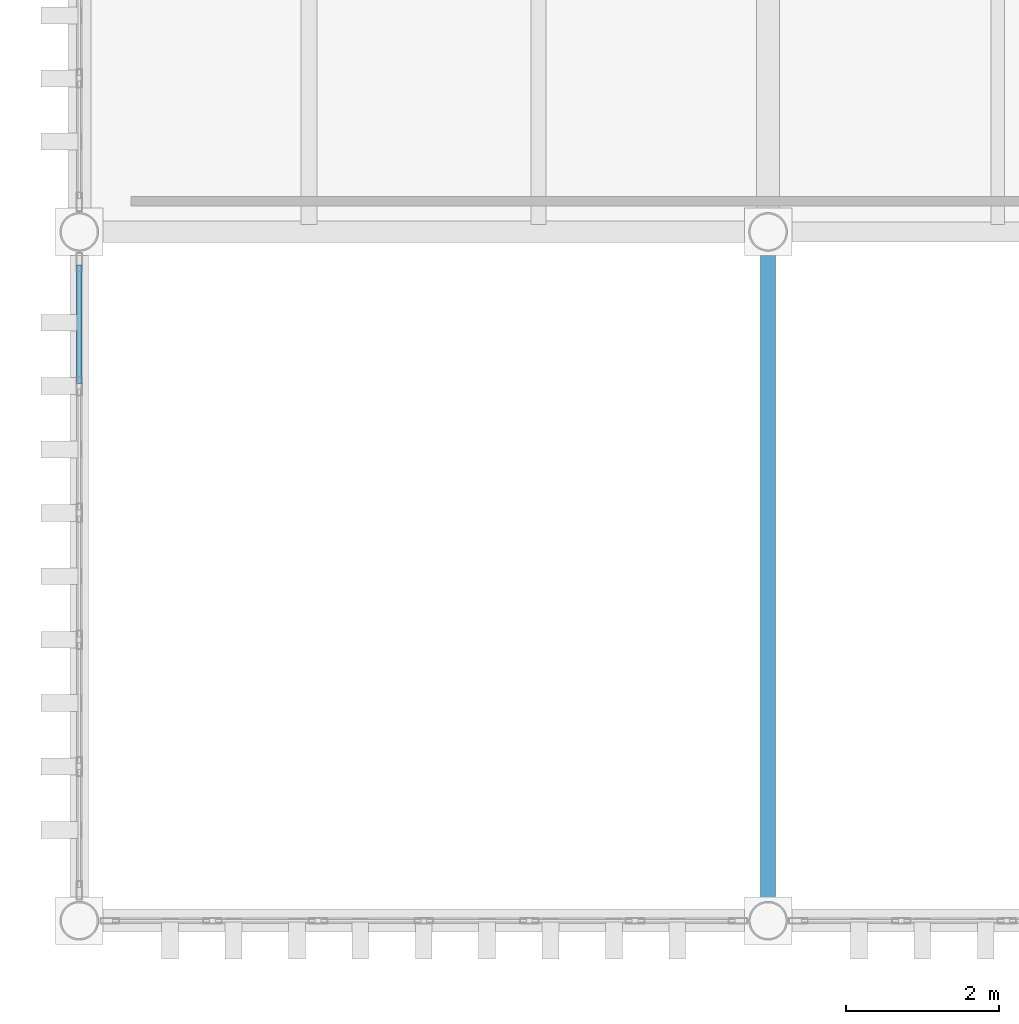
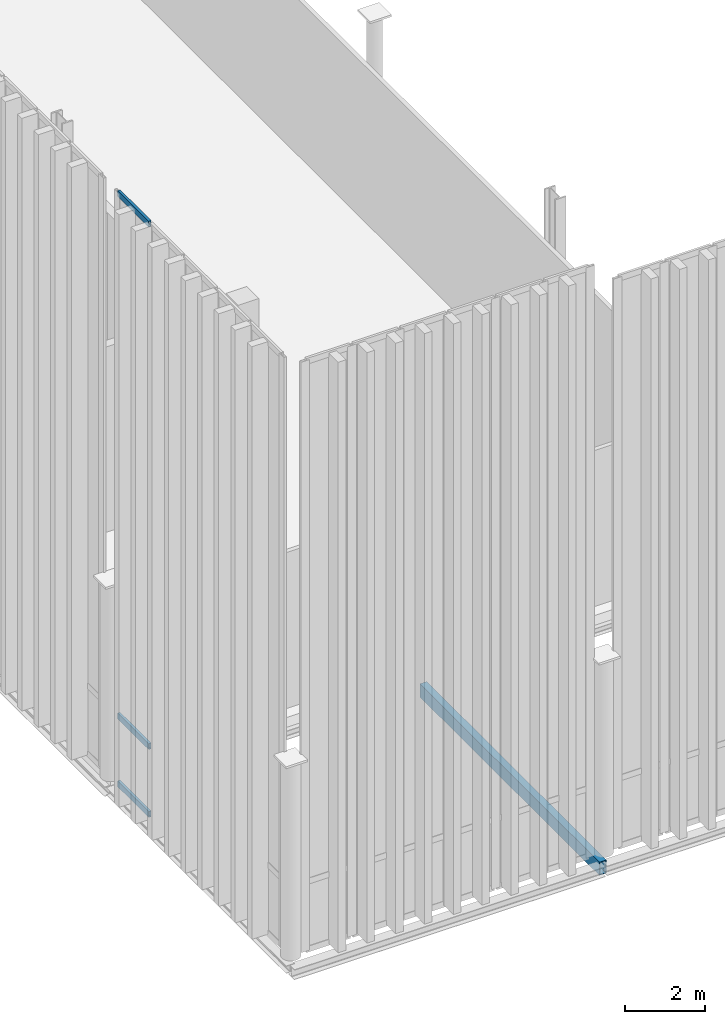
# One storey, part 28 of 237: 3 members, 1 beam, 1 element without a shape of its own.
"""IFC4 building model written with IfcOpenShell, lengths in metres."""

from ifc_helpers import new_model, si_unit, direction, frame, origin, origin_2d, place, context, subcontext, project, spatial, hollow_rectangle, extrude, material, layer, layer_set, material_profile, profile_set, type_object, element, aggregate, save


model = new_model("IFC4")

# Units and contexts
model_context = context("Model", 3, precision=1e-05, world=origin(), true_north=direction((0.0, 1.0)))
body_context = subcontext(model_context, "Body", "Model", "MODEL_VIEW")
ifc_project = project(units=[si_unit("LENGTHUNIT", "METRE"), si_unit("AREAUNIT", "SQUARE_METRE"), si_unit("VOLUMEUNIT", "CUBIC_METRE"), si_unit("PLANEANGLEUNIT", "RADIAN"), si_unit("MASSUNIT", "GRAM", prefix="KILO")], contexts=[model_context])

# Site, building, storey
site_placement = place(None, origin())
site = spatial("IfcSite", under=ifc_project, at=site_placement, CompositionType="ELEMENT")
building_placement = place(site_placement, origin())
building = spatial("IfcBuilding", under=site, at=building_placement, Name="Barlavento Convention Centre", CompositionType="ELEMENT")
storey_placement = place(building_placement, frame((0.0, 0.0, 12.0)))
storey = spatial("IfcBuildingStorey", under=building, at=storey_placement, Name="L02", CompositionType="ELEMENT", Elevation=12.0)

# Curtain wall, members
ifc_material_1 = material(Name="Powder-coated aluminium and Low-E glass", Category="aluminium")
ifc_layer = layer(ifc_material_1, 0.18994140625)
ifc_layer_set = layer_set([ifc_layer], Name="ARC-CW-CONG-L02")
curtain_wall_type = type_object("IfcCurtainWallType", Name="ARC-CW-CONG-L02", PredefinedType="NOTDEFINED", material=ifc_layer_set)
curtain_wall_placement = place(storey_placement, origin())
curtain_wall = element("IfcCurtainWall", 1, at=curtain_wall_placement, inside=storey, type_object=curtain_wall_type, Name="L02 unitised curtain wall CW02", PredefinedType="NOTDEFINED")
ifc_material_2 = material(Name="Powder-coated aluminium", Category="aluminium")
ifc_material_profile_1 = material_profile(ifc_material_2, hollow_rectangle(XDim=0.070068359375, YDim=0.179931640625, WallThickness=0.0048828125, at=origin_2d()), Name="AL-TRAN 70x180x5")
ifc_profile_set_1 = profile_set([ifc_material_profile_1], Name="Powder-coated aluminium")
member_type = type_object("IfcMemberType", Name="ARC-CWT-70X180", PredefinedType="USERDEFINED", material=ifc_profile_set_1)
member_1_placement = place(storey_placement, frame((0.0, 7.022216796875, 0.034912109375), z_axis=(0.0, 1.0, 0.0), x_axis=(-1.0, 0.0, 0.0)))
member_1 = element("IfcMember", 2, at=member_1_placement, type_object=member_type, Name="CW02 transom 5.1", ObjectType="TRANSOM", PredefinedType="USERDEFINED", context=body_context, shape_type="SweptSolid", body=[
    extrude(hollow_rectangle(XDim=0.070068359375, YDim=0.179931640625, WallThickness=0.0048828125, at=origin_2d()), origin(), (0.0, 0.0, 1.0), 1.543701171875),
])
member_2_placement = place(storey_placement, frame((0.0, 7.022216796875, 2.10009765625), z_axis=(0.0, 1.0, 0.0), x_axis=(-1.0, 0.0, 0.0)))
member_2 = element("IfcMember", 3, at=member_2_placement, type_object=member_type, Name="CW02 transom 5.2", ObjectType="TRANSOM", PredefinedType="USERDEFINED", context=body_context, shape_type="SweptSolid", body=[
    extrude(hollow_rectangle(XDim=0.070068359375, YDim=0.179931640625, WallThickness=0.0048828125, at=origin_2d()), origin(), (0.0, 0.0, 1.0), 1.543701171875),
])
member_3_placement = place(storey_placement, frame((0.0, 7.022216796875, 18.001953125), z_axis=(0.0, 1.0, 0.0), x_axis=(-1.0, 0.0, 0.0)))
member_3 = element("IfcMember", 4, at=member_3_placement, type_object=member_type, Name="CW02 transom 5.3", ObjectType="TRANSOM", PredefinedType="USERDEFINED", context=body_context, shape_type="SweptSolid", body=[
    extrude(hollow_rectangle(XDim=0.070068359375, YDim=0.179931640625, WallThickness=0.0048828125, at=origin_2d()), origin(), (0.0, 0.0, 1.0), 1.543701171875),
])
aggregate(curtain_wall, [member_1, member_2, member_3])

# Beam
ifc_material_3 = material(Name="Steel S355", Category="steel")
ifc_material_profile_2 = material_profile(ifc_material_3, hollow_rectangle(XDim=0.199951171875, YDim=0.39990234375, WallThickness=0.01611328125, at=origin_2d()), Name="RHS 400x200x16.0")
ifc_profile_set_2 = profile_set([ifc_material_profile_2], Name="Steel S355")
beam_type = type_object("IfcBeamType", Name="STR-BM-SPN-RHS400", PredefinedType="SPANDREL", material=ifc_profile_set_2)
beam_placement = place(storey_placement, frame((9.0, 0.02001953125, -0.5), z_axis=(0.0, 1.0, 0.0), x_axis=(-1.0, 0.0, 0.0)))
element("IfcBeam", 5, at=beam_placement, inside=storey, type_object=beam_type, Name="L02 grid girder SP06", PredefinedType="SPANDREL", context=body_context, shape_type="SweptSolid", body=[
    extrude(hollow_rectangle(XDim=0.199951171875, YDim=0.39990234375, WallThickness=0.01611328125, at=origin_2d()), origin(), (0.0, 0.0, 1.0), 8.9599609375),
])

save(model, "model.ifc")
